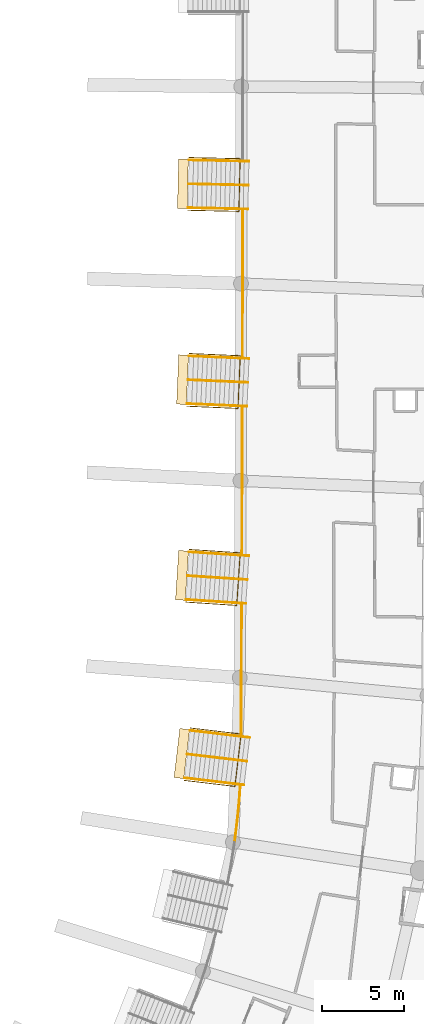
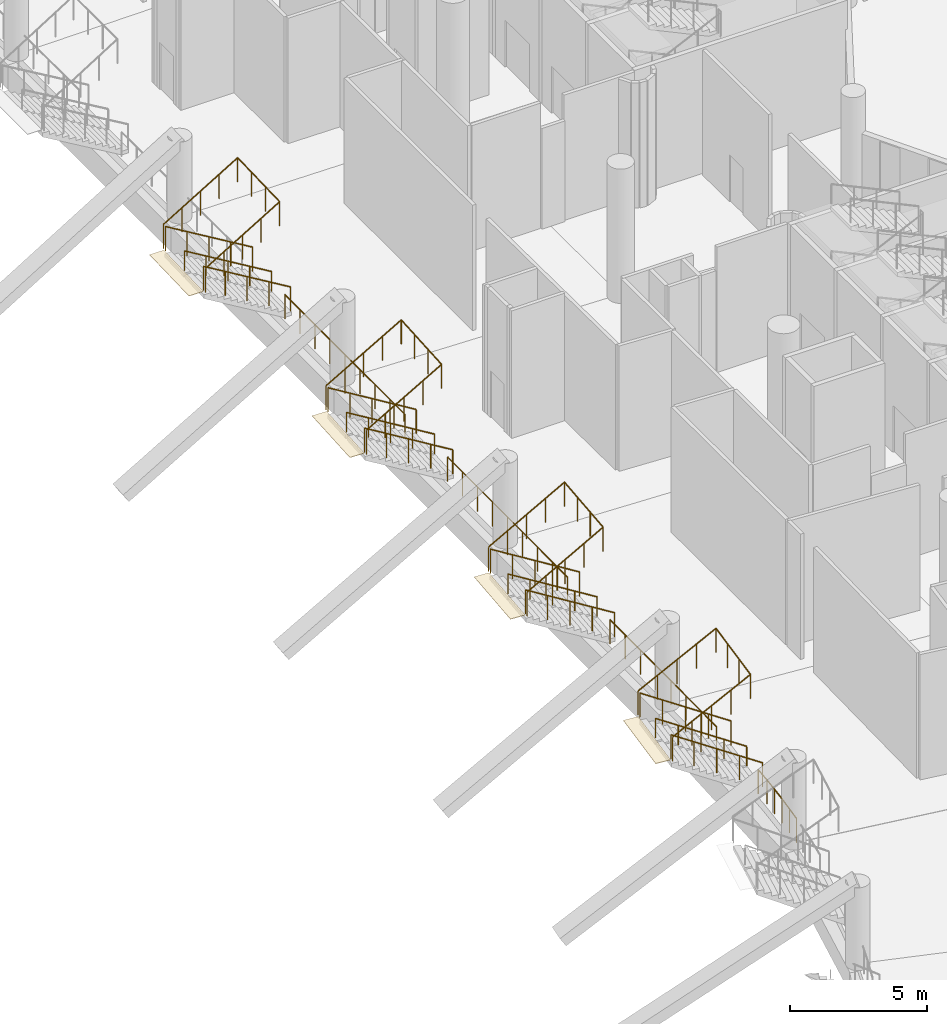
# One storey, part 137 of 173: 20 railings, 4 coverings.
"""IFC4 building model written with IfcOpenShell, lengths in metres."""

from ifc_helpers import new_model, si_unit, direction, frame, origin, origin_2d, place, context, subcontext, project, spatial, rectangle, circle, extrude, material, layer, layer_set, type_object, element, save


model = new_model("IFC4")

# Units and contexts
model_context = context("Model", 3, precision=1e-05, world=origin(), true_north=direction((0.0, 1.0)))
body_context = subcontext(model_context, "Body", "Model", "MODEL_VIEW")
ifc_project = project(units=[si_unit("LENGTHUNIT", "METRE"), si_unit("AREAUNIT", "SQUARE_METRE"), si_unit("VOLUMEUNIT", "CUBIC_METRE"), si_unit("PLANEANGLEUNIT", "RADIAN"), si_unit("MASSUNIT", "GRAM", prefix="KILO")], contexts=[model_context])

# Site, building, storey
site_placement = place(None, origin())
site = spatial("IfcSite", under=ifc_project, at=site_placement, CompositionType="ELEMENT")
building_placement = place(site_placement, origin())
building = spatial("IfcBuilding", under=site, at=building_placement, Name="Meseta Stadium", CompositionType="ELEMENT")
storey_placement = place(building_placement, frame((0.0, 0.0, 18.0)))
storey = spatial("IfcBuildingStorey", under=building, at=storey_placement, Name="L03", CompositionType="ELEMENT", Elevation=18.0)

# Railings
ifc_material_1 = material(Name="Steel S355", Category="steel")
railing_type_1 = type_object("IfcRailingType", Name="Plate edge guard 1100", PredefinedType="GUARDRAIL", material=ifc_material_1)
railing_1_placement = place(storey_placement, frame((73.09130859375, -51.861083984375, 0.0)))
element("IfcRailing", 1, at=railing_1_placement, inside=storey, type_object=railing_type_1, Name="L03 inner edge guard 1", PredefinedType="GUARDRAIL", context=body_context, shape_type="SweptSolid", body=[
    extrude(circle(Radius=0.02490234375, at=origin_2d()), frame((0.0, 0.0, 1.0751953125), z_axis=(0.124704937737, 0.99219387143, 0.0), x_axis=(-0.99219387143, 0.124704937737, 0.0)), (0.0, 0.0, 1.0), 1.344970703125),
    extrude(circle(Radius=0.02490234375, at=origin_2d()), frame((0.167724609375, 1.33447265625, 1.0751953125), z_axis=(0.095280129847, 0.995450499451, 0.0), x_axis=(-0.995450499451, 0.095280129847, 0.0)), (0.0, 0.0, 1.0), 1.34521484375),
    extrude(circle(Radius=0.02490234375, at=origin_2d()), frame((0.2958984375, 2.673583984375, 1.0751953125), z_axis=(0.065669617645, 0.997841420927, 0.0), x_axis=(-0.997841420927, 0.065669617645, 0.0)), (0.0, 0.0, 1.0), 0.724853515625),
    extrude(circle(Radius=0.02001953125, at=origin_2d()), origin(), (0.0, 0.0, 1.0), 1.050048828125),
    extrude(circle(Radius=0.02001953125, at=origin_2d()), frame((0.083984375, 0.667236328125, 0.0)), (0.0, 0.0, 1.0), 1.050048828125),
    extrude(circle(Radius=0.02001953125, at=origin_2d()), frame((0.167724609375, 1.33447265625, 0.0)), (0.0, 0.0, 1.0), 1.050048828125),
    extrude(circle(Radius=0.02001953125, at=origin_2d()), frame((0.23193359375, 2.00390625, 0.0)), (0.0, 0.0, 1.0), 1.050048828125),
    extrude(circle(Radius=0.02001953125, at=origin_2d()), frame((0.2958984375, 2.673583984375, 0.0)), (0.0, 0.0, 1.0), 1.050048828125),
    extrude(circle(Radius=0.02001953125, at=origin_2d()), frame((0.343505859375, 3.39697265625, 0.0)), (0.0, 0.0, 1.0), 1.050048828125),
])
railing_2_placement = place(storey_placement, frame((73.48828125, -45.30859375, 0.0)))
element("IfcRailing", 2, at=railing_2_placement, inside=storey, type_object=railing_type_1, Name="L03 inner edge guard 2", PredefinedType="GUARDRAIL", context=body_context, shape_type="SweptSolid", body=[
    extrude(circle(Radius=0.02490234375, at=origin_2d()), frame((0.0, 0.0, 1.0751953125), z_axis=(0.004512027757, 0.999989820751, 0.0), x_axis=(-0.999989820751, 0.004512027757, 0.0)), (0.0, 0.0, 1.0), 7.845703125),
    extrude(circle(Radius=0.02001953125, at=origin_2d()), origin(), (0.0, 0.0, 1.0), 1.050048828125),
    extrude(circle(Radius=0.02001953125, at=origin_2d()), frame((0.005126953125, 1.120849609375, 0.0)), (0.0, 0.0, 1.0), 1.050048828125),
    extrude(circle(Radius=0.02001953125, at=origin_2d()), frame((0.010009765625, 2.24169921875, 0.0)), (0.0, 0.0, 1.0), 1.050048828125),
    extrude(circle(Radius=0.02001953125, at=origin_2d()), frame((0.01513671875, 3.362548828125, 0.0)), (0.0, 0.0, 1.0), 1.050048828125),
    extrude(circle(Radius=0.02001953125, at=origin_2d()), frame((0.020263671875, 4.483154296875, 0.0)), (0.0, 0.0, 1.0), 1.050048828125),
    extrude(circle(Radius=0.02001953125, at=origin_2d()), frame((0.025390625, 5.60400390625, 0.0)), (0.0, 0.0, 1.0), 1.050048828125),
    extrude(circle(Radius=0.02001953125, at=origin_2d()), frame((0.0302734375, 6.724853515625, 0.0)), (0.0, 0.0, 1.0), 1.050048828125),
    extrude(circle(Radius=0.02001953125, at=origin_2d()), frame((0.035400390625, 7.845703125, 0.0)), (0.0, 0.0, 1.0), 1.050048828125),
])
railing_3_placement = place(storey_placement, frame((73.535888671875, -34.31689453125, 0.0)))
element("IfcRailing", 3, at=railing_3_placement, inside=storey, type_object=railing_type_1, Name="L03 inner edge guard 3", PredefinedType="GUARDRAIL", context=body_context, shape_type="SweptSolid", body=[
    extrude(circle(Radius=0.02490234375, at=origin_2d()), frame((0.0, 0.0, 1.0751953125), z_axis=(0.003239544414, 0.999994752662, 0.0), x_axis=(-0.999994752662, 0.003239544414, 0.0)), (0.0, 0.0, 1.0), 8.8173828125),
    extrude(circle(Radius=0.02001953125, at=origin_2d()), origin(), (0.0, 0.0, 1.0), 1.050048828125),
    extrude(circle(Radius=0.02001953125, at=origin_2d()), frame((0.003662109375, 1.10205078125, 0.0)), (0.0, 0.0, 1.0), 1.050048828125),
    extrude(circle(Radius=0.02001953125, at=origin_2d()), frame((0.007080078125, 2.204345703125, 0.0)), (0.0, 0.0, 1.0), 1.050048828125),
    extrude(circle(Radius=0.02001953125, at=origin_2d()), frame((0.0107421875, 3.306640625, 0.0)), (0.0, 0.0, 1.0), 1.050048828125),
    extrude(circle(Radius=0.02001953125, at=origin_2d()), frame((0.01416015625, 4.40869140625, 0.0)), (0.0, 0.0, 1.0), 1.050048828125),
    extrude(circle(Radius=0.02001953125, at=origin_2d()), frame((0.017822265625, 5.5107421875, 0.0)), (0.0, 0.0, 1.0), 1.050048828125),
    extrude(circle(Radius=0.02001953125, at=origin_2d()), frame((0.021484375, 6.613037109375, 0.0)), (0.0, 0.0, 1.0), 1.050048828125),
    extrude(circle(Radius=0.02001953125, at=origin_2d()), frame((0.02490234375, 7.71533203125, 0.0)), (0.0, 0.0, 1.0), 1.050048828125),
    extrude(circle(Radius=0.02001953125, at=origin_2d()), frame((0.028564453125, 8.8173828125, 0.0)), (0.0, 0.0, 1.0), 1.050048828125),
])
railing_4_placement = place(storey_placement, frame((73.57275390625, -22.35693359375, 0.0)))
element("IfcRailing", 4, at=railing_4_placement, inside=storey, type_object=railing_type_1, Name="L03 inner edge guard 4", PredefinedType="GUARDRAIL", context=body_context, shape_type="SweptSolid", body=[
    extrude(circle(Radius=0.02490234375, at=origin_2d()), frame((0.0, 0.0, 1.0751953125), z_axis=(0.001964850227, 0.99999806968, 0.0), x_axis=(-0.99999806968, 0.001964850227, 0.0)), (0.0, 0.0, 1.0), 8.822021484375),
    extrude(circle(Radius=0.02001953125, at=origin_2d()), origin(), (0.0, 0.0, 1.0), 1.050048828125),
    extrude(circle(Radius=0.02001953125, at=origin_2d()), frame((0.002197265625, 1.102783203125, 0.0)), (0.0, 0.0, 1.0), 1.050048828125),
    extrude(circle(Radius=0.02001953125, at=origin_2d()), frame((0.00439453125, 2.20556640625, 0.0)), (0.0, 0.0, 1.0), 1.050048828125),
    extrude(circle(Radius=0.02001953125, at=origin_2d()), frame((0.006591796875, 3.308349609375, 0.0)), (0.0, 0.0, 1.0), 1.050048828125),
    extrude(circle(Radius=0.02001953125, at=origin_2d()), frame((0.0087890625, 4.4111328125, 0.0)), (0.0, 0.0, 1.0), 1.050048828125),
    extrude(circle(Radius=0.02001953125, at=origin_2d()), frame((0.0107421875, 5.513671875, 0.0)), (0.0, 0.0, 1.0), 1.050048828125),
    extrude(circle(Radius=0.02001953125, at=origin_2d()), frame((0.012939453125, 6.616455078125, 0.0)), (0.0, 0.0, 1.0), 1.050048828125),
    extrude(circle(Radius=0.02001953125, at=origin_2d()), frame((0.01513671875, 7.71923828125, 0.0)), (0.0, 0.0, 1.0), 1.050048828125),
    extrude(circle(Radius=0.02001953125, at=origin_2d()), frame((0.017333984375, 8.822021484375, 0.0)), (0.0, 0.0, 1.0), 1.050048828125),
])

# Coverings
ifc_material_2 = material(Name="Stone paving", Category="masonry")
ifc_layer = layer(ifc_material_2, 0.02001953125)
ifc_layer_set = layer_set([ifc_layer], Name="Vomitory exit threshold plate 20")
covering_type = type_object("IfcCoveringType", Name="Vomitory exit threshold plate 20", PredefinedType="FLOORING", material=ifc_layer_set)
for number, where, z_axis, x_axis, name in (
    (5, (69.890380859375, -46.4619140625, 2.409423828125), (0.0, 0.0, 1.0), (-0.993015017931, 0.117988025512, 0.0), "Vomitory V-upper-01 exit threshold"),
    (6, (69.90185546875, -35.651123046875, 2.2919921875), (0.0, 0.0, 1.0), (-0.997842912451, 0.065646950207, 0.0), "Vomitory V-upper-02 exit threshold"),
    (7, (69.936279296875, -23.76904296875, 2.2919921875), (0.0, 0.0, 1.0), (-0.999039522965, 0.043818164662, 0.0), "Vomitory V-upper-03 exit threshold"),
    (8, (69.957275390625, -11.885009765625, 2.2919921875), (0.0, 0.0, 1.0), (-0.999759622364, 0.021924814479, 0.0), "Vomitory V-upper-04 exit threshold"),
):
    element("IfcCovering", number, at=place(storey_placement, frame(where, z_axis=z_axis, x_axis=x_axis)), inside=storey, type_object=covering_type, Name=name, PredefinedType="FLOORING", context=body_context, shape_type="SweptSolid", body=[
        extrude(rectangle(XDim=0.60009765625, YDim=3.0, at=origin_2d()), origin(), (0.0, 0.0, 1.0), 0.02001953125),
    ])

# Railings
ifc_material_3 = material(Name="Steel S355", Category="steel")
railing_type_2 = type_object("IfcRailingType", Name="Vomitory slot guard 1100", PredefinedType="GUARDRAIL", material=ifc_material_3)
railing_5_placement = place(storey_placement, frame((70.41064453125, -44.91259765625, 2.429443359375)))
element("IfcRailing", 9, at=railing_5_placement, inside=storey, type_object=railing_type_2, Name="Vomitory V-upper-01 slot guard", PredefinedType="GUARDRAIL", context=body_context, shape_type="SweptSolid", body=[
    extrude(circle(Radius=0.02490234375, at=origin_2d()), frame((0.0, 0.0, 1.0751953125), z_axis=(0.842077775272, -0.100042232323, 0.529996766164), x_axis=(0.117974377502, 0.993016639464, 0.0)), (0.0, 0.0, 1.0), 3.65576171875),
    extrude(circle(Radius=0.02490234375, at=origin_2d()), frame((3.078369140625, -0.36572265625, 3.0126953125), z_axis=(-0.117947803089, -0.993019796251, 0.0), x_axis=(0.993019796251, -0.117947803089, 0.0)), (0.0, 0.0, 1.0), 3.199951171875),
    extrude(circle(Radius=0.02490234375, at=origin_2d()), frame((2.700927734375, -3.54345703125, 3.0126953125), z_axis=(-0.842072147355, 0.100108347124, -0.529993223999), x_axis=(-0.118052034907, -0.993007410372, 0.0)), (0.0, 0.0, 1.0), 3.65576171875),
    extrude(circle(Radius=0.02001953125, at=origin_2d()), origin(), (0.0, 0.0, 1.0), 1.050048828125),
    extrude(circle(Radius=0.02001953125, at=origin_2d()), frame((0.76953125, -0.09130859375, 0.484375)), (0.0, 0.0, 1.0), 1.050048828125),
    extrude(circle(Radius=0.02001953125, at=origin_2d()), frame((1.5390625, -0.182861328125, 0.96875)), (0.0, 0.0, 1.0), 1.050048828125),
    extrude(circle(Radius=0.02001953125, at=origin_2d()), frame((2.308837890625, -0.2744140625, 1.453125)), (0.0, 0.0, 1.0), 1.050048828125),
    extrude(circle(Radius=0.02001953125, at=origin_2d()), frame((3.078369140625, -0.36572265625, 1.9375)), (0.0, 0.0, 1.0), 1.050048828125),
    extrude(circle(Radius=0.02001953125, at=origin_2d()), frame((2.95263671875, -1.425048828125, 1.9375)), (0.0, 0.0, 1.0), 1.050048828125),
    extrude(circle(Radius=0.02001953125, at=origin_2d()), frame((2.82666015625, -2.484130859375, 1.9375)), (0.0, 0.0, 1.0), 1.050048828125),
    extrude(circle(Radius=0.02001953125, at=origin_2d()), frame((2.700927734375, -3.54345703125, 1.9375)), (0.0, 0.0, 1.0), 1.050048828125),
    extrude(circle(Radius=0.02001953125, at=origin_2d()), frame((1.931396484375, -3.451904296875, 1.453125)), (0.0, 0.0, 1.0), 1.050048828125),
    extrude(circle(Radius=0.02001953125, at=origin_2d()), frame((1.16162109375, -3.3603515625, 0.96875)), (0.0, 0.0, 1.0), 1.050048828125),
    extrude(circle(Radius=0.02001953125, at=origin_2d()), frame((0.39208984375, -3.26904296875, 0.484375)), (0.0, 0.0, 1.0), 1.050048828125),
    extrude(circle(Radius=0.02001953125, at=origin_2d()), frame((-0.37744140625, -3.177490234375, 0.0)), (0.0, 0.0, 1.0), 1.050048828125),
])
railing_6_placement = place(storey_placement, frame((70.340087890625, -34.07666015625, 2.31201171875)))
element("IfcRailing", 10, at=railing_6_placement, inside=storey, type_object=railing_type_2, Name="Vomitory V-upper-02 slot guard", PredefinedType="GUARDRAIL", context=body_context, shape_type="SweptSolid", body=[
    extrude(circle(Radius=0.02490234375, at=origin_2d()), frame((0.0, 0.0, 1.0751953125), z_axis=(0.846166868334, -0.055631965377, 0.530006335209), x_axis=(0.065604221541, 0.997845722602, 0.0)), (0.0, 0.0, 1.0), 3.655517578125),
    extrude(circle(Radius=0.02490234375, at=origin_2d()), frame((3.09326171875, -0.203369140625, 3.0126953125), z_axis=(-0.065612573528, -0.997845173459, 0.0), x_axis=(0.997845173459, -0.065612573528, 0.0)), (0.0, 0.0, 1.0), 3.199951171875),
    extrude(circle(Radius=0.02490234375, at=origin_2d()), frame((2.88330078125, -3.396484375, 3.0126953125), z_axis=(-0.846185833796, 0.055628821684, -0.529976385211), x_axis=(-0.065599066313, -0.997846061524, 0.0)), (0.0, 0.0, 1.0), 3.65576171875),
    extrude(circle(Radius=0.02001953125, at=origin_2d()), origin(), (0.0, 0.0, 1.0), 1.050048828125),
    extrude(circle(Radius=0.02001953125, at=origin_2d()), frame((0.7734375, -0.05078125, 0.484375)), (0.0, 0.0, 1.0), 1.050048828125),
    extrude(circle(Radius=0.02001953125, at=origin_2d()), frame((1.546630859375, -0.1015625, 0.96875)), (0.0, 0.0, 1.0), 1.050048828125),
    extrude(circle(Radius=0.02001953125, at=origin_2d()), frame((2.31982421875, -0.152587890625, 1.453125)), (0.0, 0.0, 1.0), 1.050048828125),
    extrude(circle(Radius=0.02001953125, at=origin_2d()), frame((3.09326171875, -0.203369140625, 1.9375)), (0.0, 0.0, 1.0), 1.050048828125),
    extrude(circle(Radius=0.02001953125, at=origin_2d()), frame((3.023193359375, -1.267822265625, 1.9375)), (0.0, 0.0, 1.0), 1.050048828125),
    extrude(circle(Radius=0.02001953125, at=origin_2d()), frame((2.953369140625, -2.33203125, 1.9375)), (0.0, 0.0, 1.0), 1.050048828125),
    extrude(circle(Radius=0.02001953125, at=origin_2d()), frame((2.88330078125, -3.396484375, 1.9375)), (0.0, 0.0, 1.0), 1.050048828125),
    extrude(circle(Radius=0.02001953125, at=origin_2d()), frame((2.10986328125, -3.345703125, 1.453125)), (0.0, 0.0, 1.0), 1.050048828125),
    extrude(circle(Radius=0.02001953125, at=origin_2d()), frame((1.33642578125, -3.294921875, 0.96875)), (0.0, 0.0, 1.0), 1.050048828125),
    extrude(circle(Radius=0.02001953125, at=origin_2d()), frame((0.563232421875, -3.243896484375, 0.484375)), (0.0, 0.0, 1.0), 1.050048828125),
    extrude(circle(Radius=0.02001953125, at=origin_2d()), frame((-0.210205078125, -3.193115234375, 0.0)), (0.0, 0.0, 1.0), 1.050048828125),
])
railing_7_placement = place(storey_placement, frame((70.340087890625, -22.185302734375, 2.31201171875)))
element("IfcRailing", 11, at=railing_7_placement, inside=storey, type_object=railing_type_2, Name="Vomitory V-upper-03 slot guard", PredefinedType="GUARDRAIL", context=body_context, shape_type="SweptSolid", body=[
    extrude(circle(Radius=0.02490234375, at=origin_2d()), frame((0.0, 0.0, 1.0751953125), z_axis=(0.847195861741, -0.03713076613, 0.529981582751), x_axis=(0.043785808256, 0.999040941601, 0.0)), (0.0, 0.0, 1.0), 3.65576171875),
    extrude(circle(Radius=0.02490234375, at=origin_2d()), frame((3.09716796875, -0.1357421875, 3.0126953125), z_axis=(-0.043794812428, -0.999040546927, 0.0), x_axis=(0.999040546927, -0.043794812428, 0.0)), (0.0, 0.0, 1.0), 3.199951171875),
    extrude(circle(Radius=0.02490234375, at=origin_2d()), frame((2.95703125, -3.33251953125, 3.0126953125), z_axis=(-0.847195861741, 0.03713076613, -0.529981582751), x_axis=(-0.043785808256, -0.999040941601, 0.0)), (0.0, 0.0, 1.0), 3.65576171875),
    extrude(circle(Radius=0.02001953125, at=origin_2d()), origin(), (0.0, 0.0, 1.0), 1.050048828125),
    extrude(circle(Radius=0.02001953125, at=origin_2d()), frame((0.7744140625, -0.033935546875, 0.484375)), (0.0, 0.0, 1.0), 1.050048828125),
    extrude(circle(Radius=0.02001953125, at=origin_2d()), frame((1.548583984375, -0.06787109375, 0.96875)), (0.0, 0.0, 1.0), 1.050048828125),
    extrude(circle(Radius=0.02001953125, at=origin_2d()), frame((2.32275390625, -0.101806640625, 1.453125)), (0.0, 0.0, 1.0), 1.050048828125),
    extrude(circle(Radius=0.02001953125, at=origin_2d()), frame((3.09716796875, -0.1357421875, 1.9375)), (0.0, 0.0, 1.0), 1.050048828125),
    extrude(circle(Radius=0.02001953125, at=origin_2d()), frame((3.050537109375, -1.201416015625, 1.9375)), (0.0, 0.0, 1.0), 1.050048828125),
    extrude(circle(Radius=0.02001953125, at=origin_2d()), frame((3.003662109375, -2.266845703125, 1.9375)), (0.0, 0.0, 1.0), 1.050048828125),
    extrude(circle(Radius=0.02001953125, at=origin_2d()), frame((2.95703125, -3.33251953125, 1.9375)), (0.0, 0.0, 1.0), 1.050048828125),
    extrude(circle(Radius=0.02001953125, at=origin_2d()), frame((2.1826171875, -3.298583984375, 1.453125)), (0.0, 0.0, 1.0), 1.050048828125),
    extrude(circle(Radius=0.02001953125, at=origin_2d()), frame((1.408447265625, -3.2646484375, 0.96875)), (0.0, 0.0, 1.0), 1.050048828125),
    extrude(circle(Radius=0.02001953125, at=origin_2d()), frame((0.63427734375, -3.230712890625, 0.484375)), (0.0, 0.0, 1.0), 1.050048828125),
    extrude(circle(Radius=0.02001953125, at=origin_2d()), frame((-0.14013671875, -3.19677734375, 0.0)), (0.0, 0.0, 1.0), 1.050048828125),
])
railing_8_placement = place(storey_placement, frame((70.326416015625, -10.292724609375, 2.31201171875)))
element("IfcRailing", 12, at=railing_8_placement, inside=storey, type_object=railing_type_2, Name="Vomitory V-upper-04 slot guard", PredefinedType="GUARDRAIL", context=body_context, shape_type="SweptSolid", body=[
    extrude(circle(Radius=0.02490234375, at=origin_2d()), frame((0.0, 0.0, 1.0751953125), z_axis=(0.847784587838, -0.018566575974, 0.530015636449), x_axis=(0.021894860368, 0.999760278812, 0.0)), (0.0, 0.0, 1.0), 3.655517578125),
    extrude(circle(Radius=0.02490234375, at=origin_2d()), frame((3.09912109375, -0.06787109375, 3.0126953125), z_axis=(-0.021896458331, -0.999760243815, 0.0), x_axis=(0.999760243815, -0.021896458331, 0.0)), (0.0, 0.0, 1.0), 3.199951171875),
    extrude(circle(Radius=0.02490234375, at=origin_2d()), frame((3.029052734375, -3.26708984375, 3.0126953125), z_axis=(-0.847803370628, 0.018565524776, -0.529985628146), x_axis=(-0.021893136511, -0.999760316563, 0.0)), (0.0, 0.0, 1.0), 3.65576171875),
    extrude(circle(Radius=0.02001953125, at=origin_2d()), origin(), (0.0, 0.0, 1.0), 1.050048828125),
    extrude(circle(Radius=0.02001953125, at=origin_2d()), frame((0.77490234375, -0.01708984375, 0.484375)), (0.0, 0.0, 1.0), 1.050048828125),
    extrude(circle(Radius=0.02001953125, at=origin_2d()), frame((1.549560546875, -0.033935546875, 0.96875)), (0.0, 0.0, 1.0), 1.050048828125),
    extrude(circle(Radius=0.02001953125, at=origin_2d()), frame((2.32421875, -0.05078125, 1.453125)), (0.0, 0.0, 1.0), 1.050048828125),
    extrude(circle(Radius=0.02001953125, at=origin_2d()), frame((3.09912109375, -0.06787109375, 1.9375)), (0.0, 0.0, 1.0), 1.050048828125),
    extrude(circle(Radius=0.02001953125, at=origin_2d()), frame((3.07568359375, -1.13427734375, 1.9375)), (0.0, 0.0, 1.0), 1.050048828125),
    extrude(circle(Radius=0.02001953125, at=origin_2d()), frame((3.052490234375, -2.20068359375, 1.9375)), (0.0, 0.0, 1.0), 1.050048828125),
    extrude(circle(Radius=0.02001953125, at=origin_2d()), frame((3.029052734375, -3.26708984375, 1.9375)), (0.0, 0.0, 1.0), 1.050048828125),
    extrude(circle(Radius=0.02001953125, at=origin_2d()), frame((2.254150390625, -3.25, 1.453125)), (0.0, 0.0, 1.0), 1.050048828125),
    extrude(circle(Radius=0.02001953125, at=origin_2d()), frame((1.4794921875, -3.233154296875, 0.96875)), (0.0, 0.0, 1.0), 1.050048828125),
    extrude(circle(Radius=0.02001953125, at=origin_2d()), frame((0.70458984375, -3.21630859375, 0.484375)), (0.0, 0.0, 1.0), 1.050048828125),
    extrude(circle(Radius=0.02001953125, at=origin_2d()), frame((-0.0703125, -3.19921875, 0.0)), (0.0, 0.0, 1.0), 1.050048828125),
])
ifc_material_4 = material(Name="Steel S355", Category="steel")
railing_type_3 = type_object("IfcRailingType", Name="Vomitory stair guard 1100", PredefinedType="GUARDRAIL", material=ifc_material_4)
railing_9_placement = place(storey_placement, frame((73.665283203125, -48.37060546875, 0.173583984375)))
element("IfcRailing", 13, at=railing_9_placement, inside=storey, type_object=railing_type_3, Name="Vomitory V-upper-01 guard left", PredefinedType="GUARDRAIL", context=body_context, shape_type="SweptSolid", body=[
    extrude(circle(Radius=0.02490234375, at=origin_2d()), frame((0.0, 0.0, 1.0751953125), z_axis=(-0.84406440045, 0.100227302667, 0.526791966238), x_axis=(-0.117915271448, -0.993023659718, 0.0)), (0.0, 0.0, 1.0), 4.2822265625),
    extrude(circle(Radius=0.02001953125, at=origin_2d()), origin(), (0.0, 0.0, 1.0), 1.050048828125),
    extrude(circle(Radius=0.02001953125, at=origin_2d()), frame((-0.903564453125, 0.107421875, 0.56396484375)), (0.0, 0.0, 1.0), 1.050048828125),
    extrude(circle(Radius=0.02001953125, at=origin_2d()), frame((-1.80712890625, 0.214599609375, 1.1279296875)), (0.0, 0.0, 1.0), 1.050048828125),
    extrude(circle(Radius=0.02001953125, at=origin_2d()), frame((-2.7109375, 0.32177734375, 1.69189453125)), (0.0, 0.0, 1.0), 1.050048828125),
    extrude(circle(Radius=0.02001953125, at=origin_2d()), frame((-3.614501953125, 0.42919921875, 2.255859375)), (0.0, 0.0, 1.0), 1.050048828125),
])
railing_10_placement = place(storey_placement, frame((74.007568359375, -45.490966796875, 0.173583984375)))
element("IfcRailing", 14, at=railing_10_placement, inside=storey, type_object=railing_type_3, Name="Vomitory V-upper-01 guard right", PredefinedType="GUARDRAIL", context=body_context, shape_type="SweptSolid", body=[
    extrude(circle(Radius=0.02490234375, at=origin_2d()), frame((0.0, 0.0, 1.0751953125), z_axis=(-0.844059575991, 0.100283741585, 0.526788955229), x_axis=(-0.117981411605, -0.993015803759, 0.0)), (0.0, 0.0, 1.0), 4.2822265625),
    extrude(circle(Radius=0.02001953125, at=origin_2d()), origin(), (0.0, 0.0, 1.0), 1.050048828125),
    extrude(circle(Radius=0.02001953125, at=origin_2d()), frame((-0.903564453125, 0.107421875, 0.56396484375)), (0.0, 0.0, 1.0), 1.050048828125),
    extrude(circle(Radius=0.02001953125, at=origin_2d()), frame((-1.80712890625, 0.21484375, 1.1279296875)), (0.0, 0.0, 1.0), 1.050048828125),
    extrude(circle(Radius=0.02001953125, at=origin_2d()), frame((-2.7109375, 0.322021484375, 1.69189453125)), (0.0, 0.0, 1.0), 1.050048828125),
    extrude(circle(Radius=0.02001953125, at=origin_2d()), frame((-3.614501953125, 0.429443359375, 2.255859375)), (0.0, 0.0, 1.0), 1.050048828125),
])
for number, where, name in (
    (15, (73.77197265625, -37.35888671875, 0.1650390625), "Vomitory V-upper-02 guard left"),
    (16, (73.96240234375, -34.465087890625, 0.1650390625), "Vomitory V-upper-02 guard right"),
):
    element("IfcRailing", number, at=place(storey_placement, frame(where)), inside=storey, type_object=railing_type_3, Name=name, PredefinedType="GUARDRAIL", context=body_context, shape_type="SweptSolid", body=[
        extrude(circle(Radius=0.02490234375, at=origin_2d()), frame((0.0, 0.0, 1.0751953125), z_axis=(-0.859474164837, 0.056501023944, 0.508047039428), x_axis=(-0.065597469305, -0.997846166511, 0.0)), (0.0, 0.0, 1.0), 4.225830078125),
        extrude(circle(Radius=0.02001953125, at=origin_2d()), origin(), (0.0, 0.0, 1.0), 1.050048828125),
        extrude(circle(Radius=0.02001953125, at=origin_2d()), frame((-0.907958984375, 0.0595703125, 0.53662109375)), (0.0, 0.0, 1.0), 1.050048828125),
        extrude(circle(Radius=0.02001953125, at=origin_2d()), frame((-1.81591796875, 0.119384765625, 1.073486328125)), (0.0, 0.0, 1.0), 1.050048828125),
        extrude(circle(Radius=0.02001953125, at=origin_2d()), frame((-2.72412109375, 0.17919921875, 1.6103515625)), (0.0, 0.0, 1.0), 1.050048828125),
        extrude(circle(Radius=0.02001953125, at=origin_2d()), frame((-3.632080078125, 0.23876953125, 2.14697265625)), (0.0, 0.0, 1.0), 1.050048828125),
    ])
railing_11_placement = place(storey_placement, frame((73.843017578125, -25.3916015625, 0.1650390625)))
element("IfcRailing", 17, at=railing_11_placement, inside=storey, type_object=railing_type_3, Name="Vomitory V-upper-03 guard left", PredefinedType="GUARDRAIL", context=body_context, shape_type="SweptSolid", body=[
    extrude(circle(Radius=0.02490234375, at=origin_2d()), frame((0.0, 0.0, 1.0751953125), z_axis=(-0.860505701986, 0.037724754844, 0.508042104281), x_axis=(-0.043798145802, -0.999040400797, 0.0)), (0.0, 0.0, 1.0), 4.22607421875),
    extrude(circle(Radius=0.02001953125, at=origin_2d()), origin(), (0.0, 0.0, 1.0), 1.050048828125),
    extrude(circle(Radius=0.02001953125, at=origin_2d()), frame((-0.9091796875, 0.039794921875, 0.53662109375)), (0.0, 0.0, 1.0), 1.050048828125),
    extrude(circle(Radius=0.02001953125, at=origin_2d()), frame((-1.818359375, 0.07958984375, 1.073486328125)), (0.0, 0.0, 1.0), 1.050048828125),
    extrude(circle(Radius=0.02001953125, at=origin_2d()), frame((-2.727294921875, 0.11962890625, 1.6103515625)), (0.0, 0.0, 1.0), 1.050048828125),
    extrude(circle(Radius=0.02001953125, at=origin_2d()), frame((-3.636474609375, 0.159423828125, 2.14697265625)), (0.0, 0.0, 1.0), 1.050048828125),
])
railing_12_placement = place(storey_placement, frame((73.97021484375, -22.494384765625, 0.1650390625)))
element("IfcRailing", 18, at=railing_12_placement, inside=storey, type_object=railing_type_3, Name="Vomitory V-upper-03 guard right", PredefinedType="GUARDRAIL", context=body_context, shape_type="SweptSolid", body=[
    extrude(circle(Radius=0.02490234375, at=origin_2d()), frame((0.0, 0.0, 1.0751953125), z_axis=(-0.860520694288, 0.037722879523, 0.508016849192), x_axis=(-0.043795211179, -0.999040529447, 0.0)), (0.0, 0.0, 1.0), 4.22607421875),
    extrude(circle(Radius=0.02001953125, at=origin_2d()), origin(), (0.0, 0.0, 1.0), 1.050048828125),
    extrude(circle(Radius=0.02001953125, at=origin_2d()), frame((-0.9091796875, 0.039794921875, 0.53662109375)), (0.0, 0.0, 1.0), 1.050048828125),
    extrude(circle(Radius=0.02001953125, at=origin_2d()), frame((-1.818359375, 0.07958984375, 1.073486328125)), (0.0, 0.0, 1.0), 1.050048828125),
    extrude(circle(Radius=0.02001953125, at=origin_2d()), frame((-2.7275390625, 0.11962890625, 1.6103515625)), (0.0, 0.0, 1.0), 1.050048828125),
    extrude(circle(Radius=0.02001953125, at=origin_2d()), frame((-3.63671875, 0.159423828125, 2.14697265625)), (0.0, 0.0, 1.0), 1.050048828125),
])
railing_13_placement = place(storey_placement, frame((73.8984375, -13.421630859375, 0.1650390625)))
element("IfcRailing", 19, at=railing_13_placement, inside=storey, type_object=railing_type_3, Name="Vomitory V-upper-04 guard left", PredefinedType="GUARDRAIL", context=body_context, shape_type="SweptSolid", body=[
    extrude(circle(Radius=0.02490234375, at=origin_2d()), frame((0.0, 0.0, 1.0751953125), z_axis=(-0.861114283805, 0.018891940342, 0.508060316121), x_axis=(-0.021933668769, -0.99975942815, 0.0)), (0.0, 0.0, 1.0), 4.225830078125),
    extrude(circle(Radius=0.02001953125, at=origin_2d()), origin(), (0.0, 0.0, 1.0), 1.050048828125),
    extrude(circle(Radius=0.02001953125, at=origin_2d()), frame((-0.90966796875, 0.02001953125, 0.53662109375)), (0.0, 0.0, 1.0), 1.050048828125),
    extrude(circle(Radius=0.02001953125, at=origin_2d()), frame((-1.8193359375, 0.0400390625, 1.073486328125)), (0.0, 0.0, 1.0), 1.050048828125),
    extrude(circle(Radius=0.02001953125, at=origin_2d()), frame((-2.729248046875, 0.059814453125, 1.6103515625)), (0.0, 0.0, 1.0), 1.050048828125),
    extrude(circle(Radius=0.02001953125, at=origin_2d()), frame((-3.638916015625, 0.079833984375, 2.14697265625)), (0.0, 0.0, 1.0), 1.050048828125),
])
railing_14_placement = place(storey_placement, frame((73.962158203125, -10.5224609375, 0.1650390625)))
element("IfcRailing", 20, at=railing_14_placement, inside=storey, type_object=railing_type_3, Name="Vomitory V-upper-04 guard right", PredefinedType="GUARDRAIL", context=body_context, shape_type="SweptSolid", body=[
    extrude(circle(Radius=0.02490234375, at=origin_2d()), frame((0.0, 0.0, 1.0751953125), z_axis=(-0.861129216116, 0.018891000515, 0.508035041361), x_axis=(-0.021932198011, -0.999759460416, 0.0)), (0.0, 0.0, 1.0), 4.22607421875),
    extrude(circle(Radius=0.02001953125, at=origin_2d()), origin(), (0.0, 0.0, 1.0), 1.050048828125),
    extrude(circle(Radius=0.02001953125, at=origin_2d()), frame((-0.90966796875, 0.02001953125, 0.53662109375)), (0.0, 0.0, 1.0), 1.050048828125),
    extrude(circle(Radius=0.02001953125, at=origin_2d()), frame((-1.819580078125, 0.0400390625, 1.073486328125)), (0.0, 0.0, 1.0), 1.050048828125),
    extrude(circle(Radius=0.02001953125, at=origin_2d()), frame((-2.7294921875, 0.059814453125, 1.6103515625)), (0.0, 0.0, 1.0), 1.050048828125),
    extrude(circle(Radius=0.02001953125, at=origin_2d()), frame((-3.63916015625, 0.079833984375, 2.14697265625)), (0.0, 0.0, 1.0), 1.050048828125),
])
ifc_material_5 = material(Name="Steel S355", Category="steel")
railing_type_4 = type_object("IfcRailingType", Name="Vomitory stair handrail 900", PredefinedType="HANDRAIL", material=ifc_material_5)
railing_15_placement = place(storey_placement, frame((73.83642578125, -46.930908203125, 0.173583984375)))
element("IfcRailing", 21, at=railing_15_placement, inside=storey, type_object=railing_type_4, Name="Vomitory V-upper-01 central handrail", PredefinedType="HANDRAIL", context=body_context, shape_type="SweptSolid", body=[
    extrude(circle(Radius=0.02490234375, at=origin_2d()), frame((0.0, 0.0, 0.875), z_axis=(-0.844059575991, 0.100283741585, 0.526788955229), x_axis=(-0.117981411605, -0.993015803759, 0.0)), (0.0, 0.0, 1.0), 4.2822265625),
    extrude(circle(Radius=0.02001953125, at=origin_2d()), origin(), (0.0, 0.0, 1.0), 0.849853515625),
    extrude(circle(Radius=0.02001953125, at=origin_2d()), frame((-0.903564453125, 0.107421875, 0.56396484375)), (0.0, 0.0, 1.0), 0.849853515625),
    extrude(circle(Radius=0.02001953125, at=origin_2d()), frame((-1.80712890625, 0.21484375, 1.1279296875)), (0.0, 0.0, 1.0), 0.849853515625),
    extrude(circle(Radius=0.02001953125, at=origin_2d()), frame((-2.7109375, 0.322021484375, 1.69189453125)), (0.0, 0.0, 1.0), 0.849853515625),
    extrude(circle(Radius=0.02001953125, at=origin_2d()), frame((-3.614501953125, 0.429443359375, 2.255859375)), (0.0, 0.0, 1.0), 0.849853515625),
])
railing_16_placement = place(storey_placement, frame((73.8671875, -35.912109375, 0.1650390625)))
element("IfcRailing", 22, at=railing_16_placement, inside=storey, type_object=railing_type_4, Name="Vomitory V-upper-02 central handrail", PredefinedType="HANDRAIL", context=body_context, shape_type="SweptSolid", body=[
    extrude(circle(Radius=0.02490234375, at=origin_2d()), frame((0.0, 0.0, 0.875), z_axis=(-0.85947135794, 0.05655861124, 0.508045380233), x_axis=(-0.065664253324, -0.997841773948, 0.0)), (0.0, 0.0, 1.0), 4.225830078125),
    extrude(circle(Radius=0.02001953125, at=origin_2d()), origin(), (0.0, 0.0, 1.0), 0.849853515625),
    extrude(circle(Radius=0.02001953125, at=origin_2d()), frame((-0.907958984375, 0.059814453125, 0.53662109375)), (0.0, 0.0, 1.0), 0.849853515625),
    extrude(circle(Radius=0.02001953125, at=origin_2d()), frame((-1.81591796875, 0.11962890625, 1.073486328125)), (0.0, 0.0, 1.0), 0.849853515625),
    extrude(circle(Radius=0.02001953125, at=origin_2d()), frame((-2.72412109375, 0.17919921875, 1.6103515625)), (0.0, 0.0, 1.0), 0.849853515625),
    extrude(circle(Radius=0.02001953125, at=origin_2d()), frame((-3.632080078125, 0.239013671875, 2.14697265625)), (0.0, 0.0, 1.0), 0.849853515625),
])
railing_17_placement = place(storey_placement, frame((73.906494140625, -23.943115234375, 0.1650390625)))
element("IfcRailing", 23, at=railing_17_placement, inside=storey, type_object=railing_type_4, Name="Vomitory V-upper-03 central handrail", PredefinedType="HANDRAIL", context=body_context, shape_type="SweptSolid", body=[
    extrude(circle(Radius=0.02490234375, at=origin_2d()), frame((0.0, 0.0, 0.875), z_axis=(-0.860505701986, 0.037724754844, 0.508042104281), x_axis=(-0.043798145802, -0.999040400797, 0.0)), (0.0, 0.0, 1.0), 4.22607421875),
    extrude(circle(Radius=0.02001953125, at=origin_2d()), origin(), (0.0, 0.0, 1.0), 0.849853515625),
    extrude(circle(Radius=0.02001953125, at=origin_2d()), frame((-0.9091796875, 0.039794921875, 0.53662109375)), (0.0, 0.0, 1.0), 0.849853515625),
    extrude(circle(Radius=0.02001953125, at=origin_2d()), frame((-1.818359375, 0.07958984375, 1.073486328125)), (0.0, 0.0, 1.0), 0.849853515625),
    extrude(circle(Radius=0.02001953125, at=origin_2d()), frame((-2.727294921875, 0.11962890625, 1.6103515625)), (0.0, 0.0, 1.0), 0.849853515625),
    extrude(circle(Radius=0.02001953125, at=origin_2d()), frame((-3.636474609375, 0.159423828125, 2.14697265625)), (0.0, 0.0, 1.0), 0.849853515625),
])
railing_18_placement = place(storey_placement, frame((73.930419921875, -11.97216796875, 0.1650390625)))
element("IfcRailing", 24, at=railing_18_placement, inside=storey, type_object=railing_type_4, Name="Vomitory V-upper-04 central handrail", PredefinedType="HANDRAIL", context=body_context, shape_type="SweptSolid", body=[
    extrude(circle(Radius=0.02490234375, at=origin_2d()), frame((0.0, 0.0, 0.875), z_axis=(-0.861129216116, 0.018891000515, 0.508035041361), x_axis=(-0.021932198011, -0.999759460416, 0.0)), (0.0, 0.0, 1.0), 4.22607421875),
    extrude(circle(Radius=0.02001953125, at=origin_2d()), origin(), (0.0, 0.0, 1.0), 0.849853515625),
    extrude(circle(Radius=0.02001953125, at=origin_2d()), frame((-0.90966796875, 0.02001953125, 0.53662109375)), (0.0, 0.0, 1.0), 0.849853515625),
    extrude(circle(Radius=0.02001953125, at=origin_2d()), frame((-1.819580078125, 0.0400390625, 1.073486328125)), (0.0, 0.0, 1.0), 0.849853515625),
    extrude(circle(Radius=0.02001953125, at=origin_2d()), frame((-2.7294921875, 0.059814453125, 1.6103515625)), (0.0, 0.0, 1.0), 0.849853515625),
    extrude(circle(Radius=0.02001953125, at=origin_2d()), frame((-3.63916015625, 0.079833984375, 2.14697265625)), (0.0, 0.0, 1.0), 0.849853515625),
])

save(model, "model.ifc")
